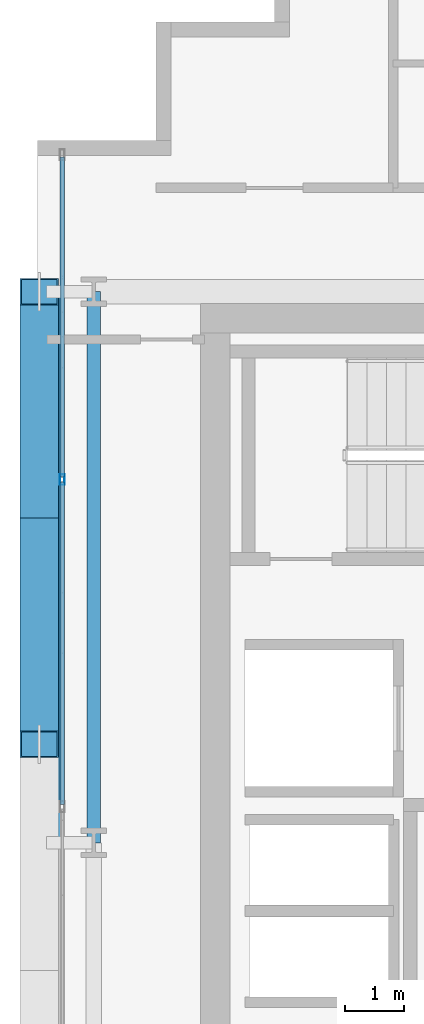
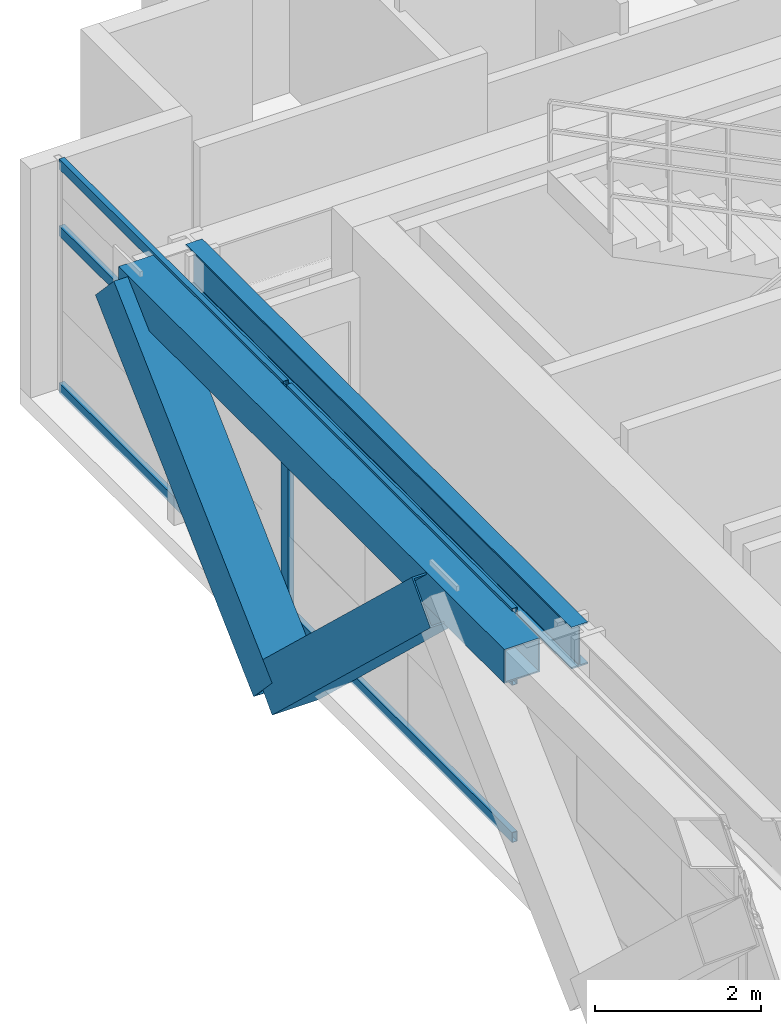
# One storey, part 10 of 37: 9 members, 2 beams, 1 element without a shape of its own.
"""IFC4 building model written with IfcOpenShell, lengths in metres."""

from ifc_helpers import new_model, si_unit, direction, frame, origin, origin_2d, place, context, subcontext, project, spatial, hollow_rectangle, i_section, extrude, source, transform, mapped, material, layer, layer_set, material_profile, profile_set, type_object, element, aggregate, save


model = new_model("IFC4")

# Units and contexts
model_context = context("Model", 3, precision=1e-05, world=origin(), true_north=direction((0.0, 1.0)))
body_context = subcontext(model_context, "Body", "Model", "MODEL_VIEW")
ifc_project = project(units=[si_unit("LENGTHUNIT", "METRE"), si_unit("AREAUNIT", "SQUARE_METRE"), si_unit("VOLUMEUNIT", "CUBIC_METRE"), si_unit("PLANEANGLEUNIT", "RADIAN"), si_unit("MASSUNIT", "GRAM", prefix="KILO")], contexts=[model_context])

# Site, building, storey
site_placement = place(None, origin())
site = spatial("IfcSite", under=ifc_project, at=site_placement, CompositionType="ELEMENT")
building_placement = place(site_placement, origin())
building = spatial("IfcBuilding", under=site, at=building_placement, Name="Ocotamira Hotel", CompositionType="ELEMENT")
storey_placement = place(building_placement, frame((0.0, 0.0, 192.0)))
storey = spatial("IfcBuildingStorey", under=building, at=storey_placement, Name="L48", CompositionType="ELEMENT", Elevation=192.0)

# Beams
ifc_material_1 = material(Name="Steel ASTM A992 Grade 50", Category="steel")
ifc_material_profile_1 = material_profile(ifc_material_1, i_section(OverallWidth=0.22998046875, OverallDepth=0.616943359375, WebThickness=0.01318359375, FlangeThickness=0.022216796875, FilletRadius=0.012939453125, at=origin_2d()), Name="W24X94")
ifc_profile_set_1 = profile_set([ifc_material_profile_1], Name="Steel ASTM A992 Grade 50")
beam_type_1 = type_object("IfcBeamType", Name="BM-PRIM-W24X94", PredefinedType="BEAM", material=ifc_profile_set_1)
shared_shape_1 = source(origin(), body_context, "Body", "SweptSolid", [
    extrude(i_section(OverallWidth=0.22998046875, OverallDepth=0.616943359375, WebThickness=0.01318359375, FlangeThickness=0.022216796875, FilletRadius=0.012939453125, at=origin_2d()), origin(), (0.0, 0.0, 1.0), 9.300048828125),
])
beam_1_placement = place(storey_placement, frame((8.949951171875, 28.14990234375, 3.0615234375), z_axis=(0.0, 1.0, 0.0), x_axis=(-1.0, 0.0, 0.0)))
element("IfcBeam", 1, at=beam_1_placement, inside=storey, type_object=beam_type_1, Name="L48 Beam X8.95 Y28.15-37.45", PredefinedType="BEAM", context=body_context, shape_type="MappedRepresentation", body=[
    mapped(shared_shape_1, transform((0.0, 0.0, 0.0), scale=1.0)),
])
ifc_material_2 = material(Name="Steel ASTM A500 Grade C", Category="steel")
ifc_material_profile_2 = material_profile(ifc_material_2, hollow_rectangle(XDim=0.5, YDim=0.5, WallThickness=0.02001953125, at=origin_2d()), Name="HSS500X500X20")
ifc_profile_set_2 = profile_set([ifc_material_profile_2], Name="Steel ASTM A500 Grade C")
beam_type_2 = type_object("IfcBeamType", Name="BM-SPAN-HSS500", PredefinedType="USERDEFINED", material=ifc_profile_set_2)
shared_shape_2 = source(origin(), body_context, "Body", "SweptSolid", [
    extrude(hollow_rectangle(XDim=0.5, YDim=0.5, WallThickness=0.02001953125, at=origin_2d()), origin(), (0.0, 0.0, 1.0), 9.300048828125),
])
beam_2_placement = place(storey_placement, frame((8.14990234375, 28.14990234375, 3.1201171875), z_axis=(0.0, 1.0, 0.0), x_axis=(-1.0, 0.0, 0.0)))
element("IfcBeam", 2, at=beam_2_placement, inside=storey, type_object=beam_type_2, Name="L48 Edge Spandrel W Y28.15-37.45", ObjectType="SPANDREL", PredefinedType="USERDEFINED", context=body_context, shape_type="MappedRepresentation", body=[
    mapped(shared_shape_2, transform((0.0, 0.0, 0.0), scale=1.0)),
])

# Members
ifc_material_3 = material(Name="Pale-metal coated steel ASTM A913 Grade 65", Category="steel")
ifc_material_profile_3 = material_profile(ifc_material_3, hollow_rectangle(XDim=0.64990234375, YDim=0.64990234375, WallThickness=0.02197265625, at=origin_2d()), Name="BOX650X650X22")
ifc_profile_set_3 = profile_set([ifc_material_profile_3], Name="Pale-metal coated steel ASTM A913 Grade 65")
member_type_1 = type_object("IfcMemberType", Name="MEM-EXO-BOX650", PredefinedType="BRACE", material=ifc_profile_set_3)
shared_shape_3 = source(origin(), body_context, "Body", "SweptSolid", [
    extrude(hollow_rectangle(XDim=0.64990234375, YDim=0.64990234375, WallThickness=0.02197265625, at=origin_2d()), origin(), (0.0, 0.0, 1.0), 5.24658203125),
])
for number, where, z_axis, x_axis, name in (
    (3, (8.030029296875, 33.63330078125, -0.47998046875), (0.0, -0.727442733726, 0.686168397078), (1.0, 0.0, 0.0), "L48 Exoskeleton Diagrid W2.1"),
    (4, (8.030029296875, 33.63330078125, -0.47998046875), (0.0, 0.727442733726, 0.686168397078), (-1.0, 0.0, 0.0), "L48 Exoskeleton Diagrid W2.2"),
):
    element("IfcMember", number, at=place(storey_placement, frame(where, z_axis=z_axis, x_axis=x_axis)), inside=storey, type_object=member_type_1, Name=name, PredefinedType="BRACE", context=body_context, shape_type="MappedRepresentation", body=[
        mapped(shared_shape_3, transform((0.0, 0.0, 0.0), scale=1.0)),
    ])

# Curtain wall, members
ifc_material_4 = material(Name="Anodised pale-metal aluminium and solar glass", Category="aluminium")
ifc_layer = layer(ifc_material_4, 0.199951171875)
ifc_layer_set = layer_set([ifc_layer], Name="Anodised pale-metal aluminium and solar glass")
curtain_wall_type = type_object("IfcCurtainWallType", Name="CW-SYS4-Z3", PredefinedType="NOTDEFINED", material=ifc_layer_set)
curtain_wall_placement = place(storey_placement, origin())
curtain_wall = element("IfcCurtainWall", 5, at=curtain_wall_placement, inside=storey, type_object=curtain_wall_type, Name="L48 Curtain Wall CW-4 CW-L48-W", PredefinedType="NOTDEFINED")
ifc_material_5 = material(Name="Anodised pale-metal aluminium 6063-T6", Category="aluminium")
ifc_material_profile_4 = material_profile(ifc_material_5, hollow_rectangle(XDim=0.080078125, YDim=0.179931640625, WallThickness=0.006103515625, at=origin_2d()), Name="HSS180X80X6")
ifc_profile_set_4 = profile_set([ifc_material_profile_4], Name="Anodised pale-metal aluminium 6063-T6")
member_type_2 = type_object("IfcMemberType", Name="CWM-180X75", PredefinedType="MULLION", material=ifc_profile_set_4)
shared_shape_4 = source(origin(), body_context, "Body", "SweptSolid", [
    extrude(hollow_rectangle(XDim=0.080078125, YDim=0.179931640625, WallThickness=0.006103515625, at=origin_2d()), origin(), (0.0, 0.0, 1.0), 3.3701171875),
])
member_1_placement = place(storey_placement, frame((8.419921875, 34.280029296875, 0.0), z_axis=(0.0, 0.0, 1.0), x_axis=(-1.0, 0.0, 0.0)))
member_1 = element("IfcMember", 6, at=member_1_placement, type_object=member_type_2, Name="CW-4 mullion 5", PredefinedType="MULLION", context=body_context, shape_type="MappedRepresentation", body=[
    mapped(shared_shape_4, transform((0.0, 0.0, 0.0), scale=1.0)),
])
ifc_material_profile_5 = material_profile(ifc_material_5, hollow_rectangle(XDim=0.074951171875, YDim=0.14990234375, WallThickness=0.006103515625, at=origin_2d()), Name="HSS150X75X6")
ifc_profile_set_5 = profile_set([ifc_material_profile_5], Name="Anodised pale-metal aluminium 6063-T6")
member_type_3 = type_object("IfcMemberType", Name="CWT-150X75", PredefinedType="USERDEFINED", material=ifc_profile_set_5)
shared_shape_5 = source(origin(), body_context, "Body", "SweptSolid", [
    extrude(hollow_rectangle(XDim=0.074951171875, YDim=0.14990234375, WallThickness=0.006103515625, at=origin_2d()), origin(), (0.0, 0.0, 1.0), 5.39990234375),
])
member_2_placement = place(storey_placement, frame((8.419921875, 34.320068359375, 0.03759765625), z_axis=(0.0, 1.0, 0.0), x_axis=(-1.0, 0.0, 0.0)))
member_2 = element("IfcMember", 7, at=member_2_placement, type_object=member_type_3, Name="CW-4 transom 5.1", ObjectType="TRANSOM", PredefinedType="USERDEFINED", context=body_context, shape_type="MappedRepresentation", body=[
    mapped(shared_shape_5, transform((0.0, 0.0, 0.0), scale=1.0)),
])
member_3_placement = place(storey_placement, frame((8.419921875, 34.320068359375, 2.35009765625), z_axis=(0.0, 1.0, 0.0), x_axis=(-1.0, 0.0, 0.0)))
member_3 = element("IfcMember", 8, at=member_3_placement, type_object=member_type_3, Name="CW-4 transom 5.2", ObjectType="TRANSOM", PredefinedType="USERDEFINED", context=body_context, shape_type="MappedRepresentation", body=[
    mapped(shared_shape_5, transform((0.0, 0.0, 0.0), scale=1.0)),
])
member_4_placement = place(storey_placement, frame((8.419921875, 34.320068359375, 3.33251953125), z_axis=(0.0, 1.0, 0.0), x_axis=(-1.0, 0.0, 0.0)))
member_4 = element("IfcMember", 9, at=member_4_placement, type_object=member_type_3, Name="CW-4 transom 5.3", ObjectType="TRANSOM", PredefinedType="USERDEFINED", context=body_context, shape_type="MappedRepresentation", body=[
    mapped(shared_shape_5, transform((0.0, 0.0, 0.0), scale=1.0)),
])
shared_shape_6 = source(origin(), body_context, "Body", "SweptSolid", [
    extrude(hollow_rectangle(XDim=0.074951171875, YDim=0.14990234375, WallThickness=0.006103515625, at=origin_2d()), origin(), (0.0, 0.0, 1.0), 5.43994140625),
])
member_5_placement = place(storey_placement, frame((8.419921875, 28.800048828125, 0.03759765625), z_axis=(0.0, 1.0, 0.0), x_axis=(-1.0, 0.0, 0.0)))
member_5 = element("IfcMember", 10, at=member_5_placement, type_object=member_type_3, Name="CW-4 transom 4.1", ObjectType="TRANSOM", PredefinedType="USERDEFINED", context=body_context, shape_type="MappedRepresentation", body=[
    mapped(shared_shape_6, transform((0.0, 0.0, 0.0), scale=1.0)),
])
member_6_placement = place(storey_placement, frame((8.419921875, 28.800048828125, 2.35009765625), z_axis=(0.0, 1.0, 0.0), x_axis=(-1.0, 0.0, 0.0)))
member_6 = element("IfcMember", 11, at=member_6_placement, type_object=member_type_3, Name="CW-4 transom 4.2", ObjectType="TRANSOM", PredefinedType="USERDEFINED", context=body_context, shape_type="MappedRepresentation", body=[
    mapped(shared_shape_6, transform((0.0, 0.0, 0.0), scale=1.0)),
])
member_7_placement = place(storey_placement, frame((8.419921875, 28.800048828125, 3.33251953125), z_axis=(0.0, 1.0, 0.0), x_axis=(-1.0, 0.0, 0.0)))
member_7 = element("IfcMember", 12, at=member_7_placement, type_object=member_type_3, Name="CW-4 transom 4.3", ObjectType="TRANSOM", PredefinedType="USERDEFINED", context=body_context, shape_type="MappedRepresentation", body=[
    mapped(shared_shape_6, transform((0.0, 0.0, 0.0), scale=1.0)),
])
aggregate(curtain_wall, [member_1, member_5, member_6, member_7, member_2, member_3, member_4])

save(model, "model.ifc")
